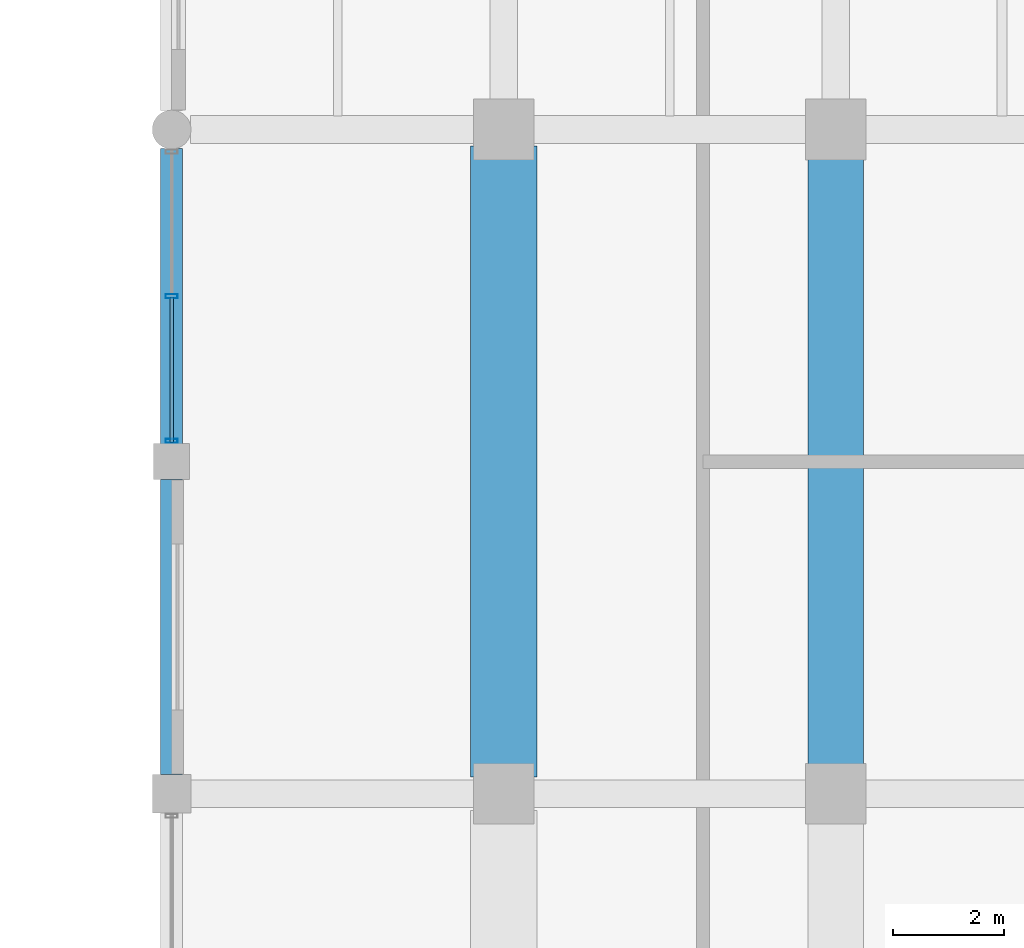
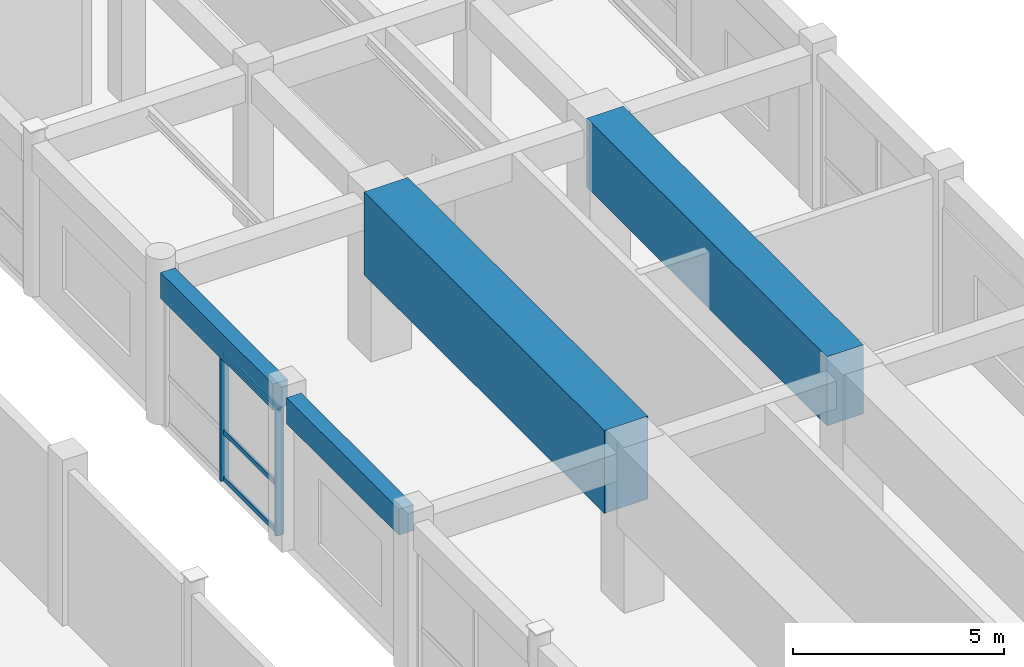
# One storey, part 71 of 123: 5 members, 4 beams, 1 element without a shape of its own.
"""IFC4 building model written with IfcOpenShell, lengths in metres."""

from ifc_helpers import new_model, si_unit, direction, frame, origin, origin_2d, place, context, subcontext, project, spatial, rectangle, hollow_rectangle, extrude, material, material_profile, profile_set, type_object, element, aggregate, save


model = new_model("IFC4")

# Units and contexts
model_context = context("Model", 3, precision=1e-05, world=origin(), true_north=direction((0.0, 1.0)))
body_context = subcontext(model_context, "Body", "Model", "MODEL_VIEW")
ifc_project = project(units=[si_unit("LENGTHUNIT", "METRE"), si_unit("AREAUNIT", "SQUARE_METRE"), si_unit("VOLUMEUNIT", "CUBIC_METRE"), si_unit("PLANEANGLEUNIT", "RADIAN"), si_unit("MASSUNIT", "GRAM", prefix="KILO"), si_unit("THERMODYNAMICTEMPERATUREUNIT", "KELVIN"), si_unit("POWERUNIT", "WATT")], contexts=[model_context])

# Site, building, storey
site_placement = place(None, origin())
site = spatial("IfcSite", under=ifc_project, at=site_placement, CompositionType="ELEMENT")
building_placement = place(site_placement, origin())
building = spatial("IfcBuilding", under=site, at=building_placement, Name="Phaisarnlok Congress Hotel", CompositionType="ELEMENT")
storey_placement = place(building_placement, frame((0.0, 0.0, 15.0)))
storey = spatial("IfcBuildingStorey", under=building, at=storey_placement, Name="L03", CompositionType="ELEMENT", Elevation=15.0)

# Curtain wall, members
ifc_material_1 = material(Name="Thermally Broken Unitised Aluminium & Low-E Glazing", Category="aluminium")
curtain_wall_type = type_object("IfcCurtainWallType", Name="CW-UNIT-30", PredefinedType="NOTDEFINED", material=ifc_material_1)
curtain_wall_placement = place(storey_placement, origin())
curtain_wall = element("IfcCurtainWall", 1, at=curtain_wall_placement, inside=storey, type_object=curtain_wall_type, Name="Unitised curtain wall CW-30 (L03)", PredefinedType="NOTDEFINED")
ifc_material_2 = material(Name="Anodised Aluminium Alloy 6063-T6", Category="aluminium")
ifc_material_profile_1 = material_profile(ifc_material_2, hollow_rectangle(XDim=0.074951171875, YDim=0.219970703125, WallThickness=0.0048828125, at=origin_2d()), Name="ALU-M 75x220x5")
ifc_profile_set_1 = profile_set([ifc_material_profile_1], Name="Anodised Aluminium Alloy 6063-T6")
member_type_1 = type_object("IfcMemberType", Name="CWM-220", PredefinedType="MULLION", material=ifc_profile_set_1)
member_1_placement = place(storey_placement, frame((162.0, 62.987548828125, 0.0), z_axis=(0.0, 0.0, 1.0), x_axis=(0.0, -1.0, 0.0)))
member_1 = element("IfcMember", 2, at=member_1_placement, type_object=member_type_1, Name="Curtain wall mullion CWM-02", PredefinedType="MULLION", context=body_context, shape_type="SweptSolid", body=[
    extrude(hollow_rectangle(XDim=0.074951171875, YDim=0.219970703125, WallThickness=0.0048828125, at=origin_2d()), origin(), (0.0, 0.0, 1.0), 3.699951171875),
])
member_2_placement = place(storey_placement, frame((162.0, 60.375, 0.0), z_axis=(0.0, 0.0, 1.0), x_axis=(0.0, -1.0, 0.0)))
member_2 = element("IfcMember", 3, at=member_2_placement, type_object=member_type_1, Name="Curtain wall mullion CWM-02", PredefinedType="MULLION", context=body_context, shape_type="SweptSolid", body=[
    extrude(hollow_rectangle(XDim=0.074951171875, YDim=0.219970703125, WallThickness=0.0048828125, at=origin_2d()), origin(), (0.0, 0.0, 1.0), 3.699951171875),
])
ifc_material_profile_2 = material_profile(ifc_material_2, hollow_rectangle(XDim=0.06494140625, YDim=0.139892578125, WallThickness=0.00390625, at=origin_2d()), Name="ALU-T 65x140x4")
ifc_profile_set_2 = profile_set([ifc_material_profile_2], Name="Anodised Aluminium Alloy 6063-T6")
member_type_2 = type_object("IfcMemberType", Name="CWT-150", PredefinedType="USERDEFINED", material=ifc_profile_set_2)
member_3_placement = place(storey_placement, frame((162.0, 62.972412109375, 0.050048828125), z_axis=(0.0, -1.0, 0.0), x_axis=(1.0, 0.0, 0.0)))
member_3 = element("IfcMember", 4, at=member_3_placement, type_object=member_type_2, Name="Curtain wall transom CWT-01", ObjectType="TRANSOM", PredefinedType="USERDEFINED", context=body_context, shape_type="SweptSolid", body=[
    extrude(hollow_rectangle(XDim=0.06494140625, YDim=0.139892578125, WallThickness=0.00390625, at=origin_2d()), origin(), (0.0, 0.0, 1.0), 2.622314453125),
])
member_4_placement = place(storey_placement, frame((162.0, 62.972412109375, 1.406005859375), z_axis=(0.0, -1.0, 0.0), x_axis=(1.0, 0.0, 0.0)))
member_4 = element("IfcMember", 5, at=member_4_placement, type_object=member_type_2, Name="Curtain wall transom CWT-01", ObjectType="TRANSOM", PredefinedType="USERDEFINED", context=body_context, shape_type="SweptSolid", body=[
    extrude(hollow_rectangle(XDim=0.06494140625, YDim=0.139892578125, WallThickness=0.00390625, at=origin_2d()), origin(), (0.0, 0.0, 1.0), 2.622314453125),
])
member_5_placement = place(storey_placement, frame((162.0, 62.972412109375, 3.64990234375), z_axis=(0.0, -1.0, 0.0), x_axis=(1.0, 0.0, 0.0)))
member_5 = element("IfcMember", 6, at=member_5_placement, type_object=member_type_2, Name="Curtain wall transom CWT-01", ObjectType="TRANSOM", PredefinedType="USERDEFINED", context=body_context, shape_type="SweptSolid", body=[
    extrude(hollow_rectangle(XDim=0.06494140625, YDim=0.139892578125, WallThickness=0.00390625, at=origin_2d()), origin(), (0.0, 0.0, 1.0), 2.622314453125),
])
aggregate(curtain_wall, [member_1, member_2, member_3, member_4, member_5])

# Beams
ifc_material_3 = material(Name="Concrete C40/50", Category="concrete")
ifc_material_profile_3 = material_profile(ifc_material_3, rectangle(XDim=0.39990234375, YDim=0.75, at=origin_2d()), Name="RC 400x750")
ifc_profile_set_3 = profile_set([ifc_material_profile_3], Name="Concrete C40/50")
beam_type_1 = type_object("IfcBeamType", Name="SP-RC-400x750", PredefinedType="SPANDREL", material=ifc_profile_set_3)
for number, where, z_axis, x_axis, name in (
    (7, (162.0, 54.344970703125, 4.074951171875), (0.0, 1.0, 0.0), (-1.0, 0.0, 0.0), "Beam SP-02"),
    (8, (162.0, 60.320068359375, 4.074951171875), (0.0, 1.0, 0.0), (-1.0, 0.0, 0.0), "Beam SP-02"),
):
    element("IfcBeam", number, at=place(storey_placement, frame(where, z_axis=z_axis, x_axis=x_axis)), inside=storey, type_object=beam_type_1, Name=name, PredefinedType="SPANDREL", context=body_context, shape_type="SweptSolid", body=[
        extrude(rectangle(XDim=0.39990234375, YDim=0.75, at=origin_2d()), origin(), (0.0, 0.0, 1.0), 5.3349609375),
    ])
ifc_material_4 = material(Name="Concrete C50/60", Category="concrete")
ifc_material_profile_4 = material_profile(ifc_material_4, rectangle(XDim=1.0, YDim=2.0, at=origin_2d()), Name="RC 1000x2000")
ifc_profile_set_4 = profile_set([ifc_material_profile_4], Name="Concrete C50/60")
beam_type_2 = type_object("IfcBeamType", Name="TG-RC-1000x2000", PredefinedType="BEAM", material=ifc_profile_set_4)
beam_1_placement = place(storey_placement, frame((174.0, 54.300048828125, 3.800048828125), z_axis=(0.0, 1.0, 0.0), x_axis=(-1.0, 0.0, 0.0)))
element("IfcBeam", 9, at=beam_1_placement, inside=storey, type_object=beam_type_2, Name="Transfer girder TG-01 supporting hotel wing", PredefinedType="BEAM", context=body_context, shape_type="SweptSolid", body=[
    extrude(rectangle(XDim=1.0, YDim=2.0, at=origin_2d()), origin(), (0.0, 0.0, 1.0), 11.39990234375),
])
ifc_material_profile_5 = material_profile(ifc_material_4, rectangle(XDim=1.199951171875, YDim=2.39990234375, at=origin_2d()), Name="RC 1200x2400")
ifc_profile_set_5 = profile_set([ifc_material_profile_5], Name="Concrete C50/60")
beam_type_3 = type_object("IfcBeamType", Name="TG-RC-1200x2400", PredefinedType="BEAM", material=ifc_profile_set_5)
beam_2_placement = place(storey_placement, frame((168.0, 54.300048828125, 3.60009765625), z_axis=(0.0, 1.0, 0.0), x_axis=(-1.0, 0.0, 0.0)))
element("IfcBeam", 10, at=beam_2_placement, inside=storey, type_object=beam_type_3, Name="Transfer girder TG-02 supporting hotel wing", PredefinedType="BEAM", context=body_context, shape_type="SweptSolid", body=[
    extrude(rectangle(XDim=1.199951171875, YDim=2.39990234375, at=origin_2d()), origin(), (0.0, 0.0, 1.0), 11.39990234375),
])

save(model, "model.ifc")
